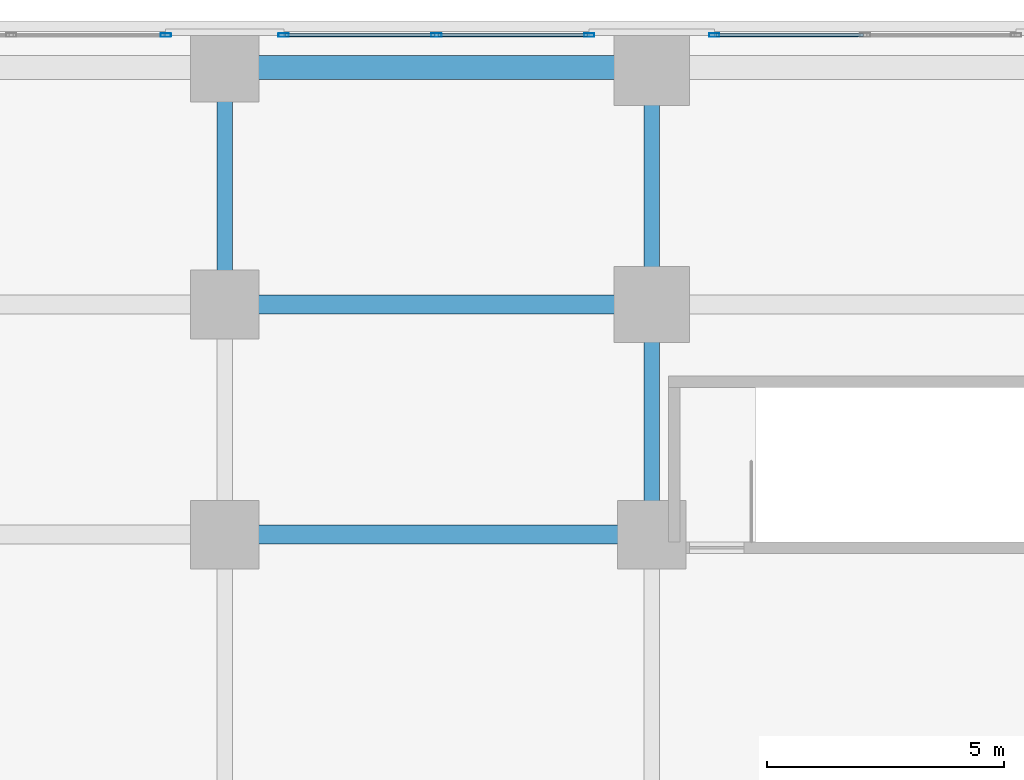
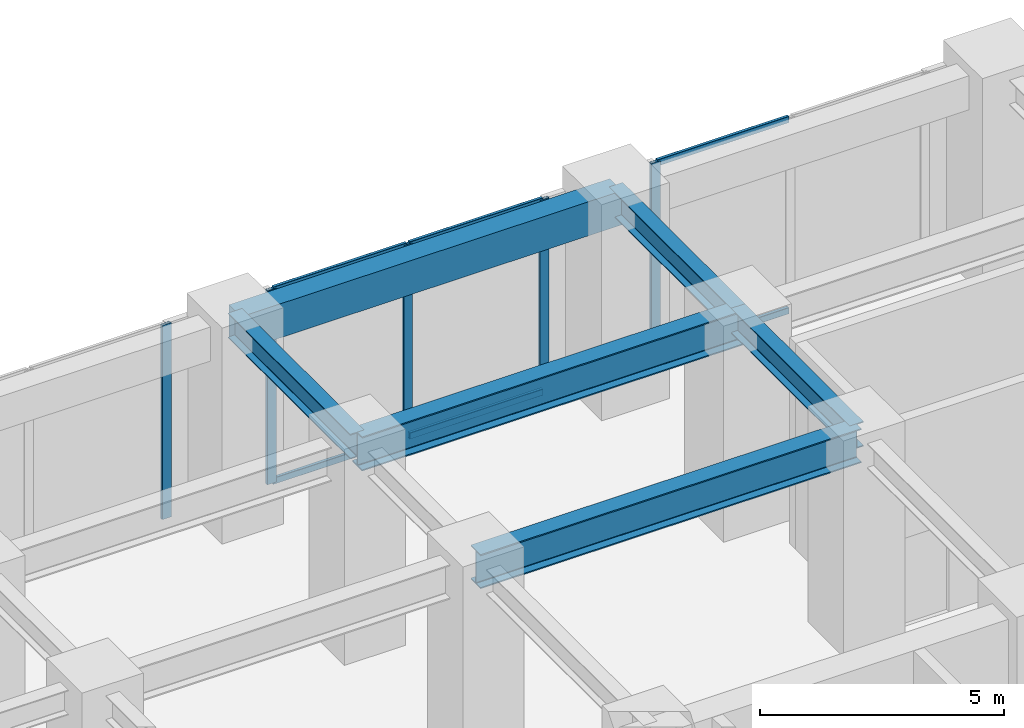
# One storey, part 18 of 33: 11 members, 6 beams, 3 elements without a shape of their own.
"""IFC4 building model written with IfcOpenShell, lengths in metres."""

from ifc_helpers import new_model, si_unit, direction, frame, origin, origin_2d, place, context, subcontext, project, spatial, rectangle, hollow_rectangle, i_section, extrude, source, transform, mapped, material, material_profile, profile_set, type_object, element, aggregate, save


model = new_model("IFC4")

# Units and contexts
model_context = context("Model", 3, precision=1e-05, world=origin(), true_north=direction((0.0, 1.0)))
body_context = subcontext(model_context, "Body", "Model", "MODEL_VIEW")
ifc_project = project(units=[si_unit("LENGTHUNIT", "METRE"), si_unit("AREAUNIT", "SQUARE_METRE"), si_unit("VOLUMEUNIT", "CUBIC_METRE"), si_unit("PLANEANGLEUNIT", "RADIAN"), si_unit("MASSUNIT", "GRAM", prefix="KILO")], contexts=[model_context])

# Site, building, storey
site_placement = place(None, origin())
site = spatial("IfcSite", under=ifc_project, at=site_placement, CompositionType="ELEMENT")
building_placement = place(site_placement, origin())
building = spatial("IfcBuilding", under=site, at=building_placement, Name="Torre Montelarca", CompositionType="ELEMENT")
storey_placement = place(building_placement, frame((0.0, 0.0, 12.0)))
storey = spatial("IfcBuildingStorey", under=building, at=storey_placement, Name="L03", CompositionType="ELEMENT", Elevation=12.0)

# Beams
ifc_material_1 = material(Name="Concrete C55/67", Category="concrete")
ifc_material_profile_1 = material_profile(ifc_material_1, rectangle(XDim=0.5, YDim=0.85009765625, at=origin_2d()), Name="RCB500X850", Category="concrete")
ifc_profile_set_1 = profile_set([ifc_material_profile_1], Name="Concrete C55/67")
beam_type_1 = type_object("IfcBeamType", Name="BM-SP-RC850-EXT", PredefinedType="SPANDREL", material=ifc_profile_set_1)
shared_shape_1 = source(origin(), body_context, "Body", "SweptSolid", [
    extrude(rectangle(XDim=0.5, YDim=0.85009765625, at=origin_2d()), origin(), (0.0, 0.0, 1.0), 9.0),
])
beam_1_placement = place(storey_placement, frame((18.0, 57.0, 4.715087890625), z_axis=(1.0, 0.0, 0.0), x_axis=(0.0, 1.0, 0.0)))
element("IfcBeam", 1, at=beam_1_placement, inside=storey, type_object=beam_type_1, Name="L03 Grid Girder X 18.0-27.0 at Y=57.0", PredefinedType="SPANDREL", context=body_context, shape_type="MappedRepresentation", body=[
    mapped(shared_shape_1, transform((0.0, 0.0, 0.0), scale=1.0)),
])
ifc_material_2 = material(Name="Steel ASTM A992 Grade 50", Category="steel")
ifc_material_profile_2 = material_profile(ifc_material_2, i_section(OverallWidth=0.39990234375, OverallDepth=0.85498046875, WebThickness=0.018310546875, FlangeThickness=0.029296875, FilletRadius=0.02001953125, at=origin_2d()), Name="W840X299", Category="steel")
ifc_profile_set_2 = profile_set([ifc_material_profile_2], Name="Steel ASTM A992 Grade 50")
beam_type_2 = type_object("IfcBeamType", Name="BM-G-W840", PredefinedType="BEAM", material=ifc_profile_set_2)
shared_shape_2 = source(origin(), body_context, "Body", "SweptSolid", [
    extrude(i_section(OverallWidth=0.39990234375, OverallDepth=0.85498046875, WebThickness=0.018310546875, FlangeThickness=0.029296875, FilletRadius=0.02001953125, at=origin_2d()), origin(), (0.0, 0.0, 1.0), 9.0),
])
for number, where, z_axis, x_axis, name in (
    (2, (18.0, 47.14990234375, 4.7119140625), (1.0, 0.0, 0.0), (0.0, 1.0, 0.0), "L03 Grid Girder X 18.0-27.0 at Y=47.1"),
    (3, (18.0, 52.0, 4.7119140625), (1.0, 0.0, 0.0), (0.0, 1.0, 0.0), "L03 Grid Girder X 18.0-27.0 at Y=52.0"),
):
    element("IfcBeam", number, at=place(storey_placement, frame(where, z_axis=z_axis, x_axis=x_axis)), inside=storey, type_object=beam_type_2, Name=name, PredefinedType="BEAM", context=body_context, shape_type="MappedRepresentation", body=[
        mapped(shared_shape_2, transform((0.0, 0.0, 0.0), scale=1.0)),
    ])
ifc_material_profile_3 = material_profile(ifc_material_2, i_section(OverallWidth=0.326904296875, OverallDepth=0.6220703125, WebThickness=0.015380859375, FlangeThickness=0.0244140625, FilletRadius=0.014892578125, at=origin_2d()), Name="W610X195", Category="steel")
ifc_profile_set_3 = profile_set([ifc_material_profile_3], Name="Steel ASTM A992 Grade 50")
beam_type_3 = type_object("IfcBeamType", Name="BM-G-W610H", PredefinedType="BEAM", material=ifc_profile_set_3)
shared_shape_3 = source(origin(), body_context, "Body", "SweptSolid", [
    extrude(i_section(OverallWidth=0.326904296875, OverallDepth=0.6220703125, WebThickness=0.015380859375, FlangeThickness=0.0244140625, FilletRadius=0.014892578125, at=origin_2d()), origin(), (0.0, 0.0, 1.0), 4.85009765625),
])
beam_2_placement = place(storey_placement, frame((27.0, 47.14990234375, 4.8291015625), z_axis=(0.0, 1.0, 0.0), x_axis=(-1.0, 0.0, 0.0)))
element("IfcBeam", 4, at=beam_2_placement, inside=storey, type_object=beam_type_3, Name="L03 Grid Girder Y 47.1-52.0 at X=27.0", PredefinedType="BEAM", context=body_context, shape_type="MappedRepresentation", body=[
    mapped(shared_shape_3, transform((0.0, 0.0, 0.0), scale=1.0)),
])
shared_shape_4 = source(origin(), body_context, "Body", "SweptSolid", [
    extrude(i_section(OverallWidth=0.326904296875, OverallDepth=0.6220703125, WebThickness=0.015380859375, FlangeThickness=0.0244140625, FilletRadius=0.014892578125, at=origin_2d()), origin(), (0.0, 0.0, 1.0), 5.0),
])
for number, where, z_axis, x_axis, name in (
    (5, (18.0, 52.0, 4.8291015625), (0.0, 1.0, 0.0), (-1.0, 0.0, 0.0), "L03 Grid Girder Y 52.0-57.0 at X=18.0"),
    (6, (27.0, 52.0, 4.8291015625), (0.0, 1.0, 0.0), (-1.0, 0.0, 0.0), "L03 Grid Girder Y 52.0-57.0 at X=27.0"),
):
    element("IfcBeam", number, at=place(storey_placement, frame(where, z_axis=z_axis, x_axis=x_axis)), inside=storey, type_object=beam_type_3, Name=name, PredefinedType="BEAM", context=body_context, shape_type="MappedRepresentation", body=[
        mapped(shared_shape_4, transform((0.0, 0.0, 0.0), scale=1.0)),
    ])

# Curtain wall, members
ifc_material_3 = material(Name="Insulated low-E laminated glass", Category="glass")
curtain_wall_type = type_object("IfcCurtainWallType", Name="CW-SYS-POD2", PredefinedType="USERDEFINED", material=ifc_material_3)
curtain_wall_1_placement = place(storey_placement, origin())
curtain_wall_1 = element("IfcCurtainWall", 7, at=curtain_wall_1_placement, inside=storey, type_object=curtain_wall_type, Name="L03 Curtain Wall Run CW-T3-L03-E08-B2", ObjectType="UNITISED GLAZING", PredefinedType="USERDEFINED")
ifc_material_4 = material(Name="Anodised aluminium AA 6063-T6", Category="aluminium")
ifc_material_profile_4 = material_profile(ifc_material_4, hollow_rectangle(XDim=0.074951171875, YDim=0.159912109375, WallThickness=0.0048828125, InnerFilletRadius=0.0048828125, OuterFilletRadius=0.010009765625, at=origin_2d()), Name="ALU75X160X5", Category="aluminium")
ifc_profile_set_4 = profile_set([ifc_material_profile_4], Name="Anodised aluminium AA 6063-T6")
member_type_1 = type_object("IfcMemberType", Name="CWT-ALU160", PredefinedType="USERDEFINED", material=ifc_profile_set_4)
shared_shape_5 = source(origin(), body_context, "Body", "SweptSolid", [
    extrude(hollow_rectangle(XDim=0.074951171875, YDim=0.159912109375, WallThickness=0.0048828125, InnerFilletRadius=0.0048828125, OuterFilletRadius=0.010009765625, at=origin_2d()), origin(), (0.0, 0.0, 1.0), 3.14501953125),
])
member_1_placement = place(storey_placement, frame((25.64501953125, 57.679931640625, 0.03759765625), z_axis=(-1.0, 0.0, 0.0), x_axis=(0.0, -1.0, 0.0)))
member_1 = element("IfcMember", 8, at=member_1_placement, type_object=member_type_1, Name="CW transom 1.1", ObjectType="TRANSOM", PredefinedType="USERDEFINED", context=body_context, shape_type="MappedRepresentation", body=[
    mapped(shared_shape_5, transform((0.0, 0.0, 0.0), scale=1.0)),
])
member_2_placement = place(storey_placement, frame((25.64501953125, 57.679931640625, 4.8125), z_axis=(-1.0, 0.0, 0.0), x_axis=(0.0, -1.0, 0.0)))
member_2 = element("IfcMember", 9, at=member_2_placement, type_object=member_type_1, Name="CW transom 1.2", ObjectType="TRANSOM", PredefinedType="USERDEFINED", context=body_context, shape_type="MappedRepresentation", body=[
    mapped(shared_shape_5, transform((0.0, 0.0, 0.0), scale=1.0)),
])
member_3_placement = place(storey_placement, frame((22.425048828125, 57.679931640625, 0.03759765625), z_axis=(-1.0, 0.0, 0.0), x_axis=(0.0, -1.0, 0.0)))
member_3 = element("IfcMember", 10, at=member_3_placement, type_object=member_type_1, Name="CW transom 2.1", ObjectType="TRANSOM", PredefinedType="USERDEFINED", context=body_context, shape_type="MappedRepresentation", body=[
    mapped(shared_shape_5, transform((0.0, 0.0, 0.0), scale=1.0)),
])
member_4_placement = place(storey_placement, frame((22.425048828125, 57.679931640625, 4.8125), z_axis=(-1.0, 0.0, 0.0), x_axis=(0.0, -1.0, 0.0)))
member_4 = element("IfcMember", 11, at=member_4_placement, type_object=member_type_1, Name="CW transom 2.2", ObjectType="TRANSOM", PredefinedType="USERDEFINED", context=body_context, shape_type="MappedRepresentation", body=[
    mapped(shared_shape_5, transform((0.0, 0.0, 0.0), scale=1.0)),
])

curtain_wall_2_placement = place(storey_placement, origin())
curtain_wall_2 = element("IfcCurtainWall", 12, at=curtain_wall_2_placement, inside=storey, type_object=curtain_wall_type, Name="L03 Curtain Wall Run CW-T3-L03-E08-B1", ObjectType="UNITISED GLAZING", PredefinedType="USERDEFINED")
shared_shape_6 = source(origin(), body_context, "Body", "SweptSolid", [
    extrude(hollow_rectangle(XDim=0.074951171875, YDim=0.159912109375, WallThickness=0.0048828125, InnerFilletRadius=0.0048828125, OuterFilletRadius=0.010009765625, at=origin_2d()), origin(), (0.0, 0.0, 1.0), 3.107421875),
])
member_5_placement = place(storey_placement, frame((31.46240234375, 57.679931640625, 0.03759765625), z_axis=(-1.0, 0.0, 0.0), x_axis=(0.0, -1.0, 0.0)))
member_5 = element("IfcMember", 13, at=member_5_placement, type_object=member_type_1, Name="CW transom 2.1", ObjectType="TRANSOM", PredefinedType="USERDEFINED", context=body_context, shape_type="MappedRepresentation", body=[
    mapped(shared_shape_6, transform((0.0, 0.0, 0.0), scale=1.0)),
])
member_6_placement = place(storey_placement, frame((31.46240234375, 57.679931640625, 4.8125), z_axis=(-1.0, 0.0, 0.0), x_axis=(0.0, -1.0, 0.0)))
member_6 = element("IfcMember", 14, at=member_6_placement, type_object=member_type_1, Name="CW transom 2.2", ObjectType="TRANSOM", PredefinedType="USERDEFINED", context=body_context, shape_type="MappedRepresentation", body=[
    mapped(shared_shape_6, transform((0.0, 0.0, 0.0), scale=1.0)),
])
ifc_material_profile_5 = material_profile(ifc_material_4, hollow_rectangle(XDim=0.074951171875, YDim=0.219970703125, WallThickness=0.0048828125, InnerFilletRadius=0.0048828125, OuterFilletRadius=0.010009765625, at=origin_2d()), Name="ALU75X220X5", Category="aluminium")
ifc_profile_set_5 = profile_set([ifc_material_profile_5], Name="Anodised aluminium AA 6063-T6")
member_type_2 = type_object("IfcMemberType", Name="CWM-ALU220", PredefinedType="MULLION", material=ifc_profile_set_5)
shared_shape_7 = source(origin(), body_context, "Body", "SweptSolid", [
    extrude(hollow_rectangle(XDim=0.074951171875, YDim=0.219970703125, WallThickness=0.0048828125, InnerFilletRadius=0.0048828125, OuterFilletRadius=0.010009765625, at=origin_2d()), origin(), (0.0, 0.0, 1.0), 4.85009765625),
])
member_7_placement = place(storey_placement, frame((28.3173828125, 57.679931640625, 0.0), z_axis=(0.0, 0.0, 1.0), x_axis=(0.0, -1.0, 0.0)))
member_7 = element("IfcMember", 15, at=member_7_placement, type_object=member_type_2, Name="CW mullion 3", PredefinedType="MULLION", context=body_context, shape_type="MappedRepresentation", body=[
    mapped(shared_shape_7, transform((0.0, 0.0, 0.0), scale=1.0)),
])
aggregate(curtain_wall_2, [member_7, member_5, member_6])

# Member
member_8_placement = place(storey_placement, frame((25.6826171875, 57.679931640625, 0.0), z_axis=(0.0, 0.0, 1.0), x_axis=(0.0, -1.0, 0.0)))
member_8 = element("IfcMember", 16, at=member_8_placement, type_object=member_type_2, Name="CW mullion 1", PredefinedType="MULLION", context=body_context, shape_type="MappedRepresentation", body=[
    mapped(shared_shape_7, transform((0.0, 0.0, 0.0), scale=1.0)),
])

member_9_placement = place(storey_placement, frame((22.46240234375, 57.679931640625, 0.0), z_axis=(0.0, 0.0, 1.0), x_axis=(0.0, -1.0, 0.0)))
member_9 = element("IfcMember", 17, at=member_9_placement, type_object=member_type_2, Name="CW mullion 2", PredefinedType="MULLION", context=body_context, shape_type="MappedRepresentation", body=[
    mapped(shared_shape_7, transform((0.0, 0.0, 0.0), scale=1.0)),
])

member_10_placement = place(storey_placement, frame((19.242431640625, 57.679931640625, 0.0), z_axis=(0.0, 0.0, 1.0), x_axis=(0.0, -1.0, 0.0)))
member_10 = element("IfcMember", 18, at=member_10_placement, type_object=member_type_2, Name="CW mullion 3", PredefinedType="MULLION", context=body_context, shape_type="MappedRepresentation", body=[
    mapped(shared_shape_7, transform((0.0, 0.0, 0.0), scale=1.0)),
])

aggregate(curtain_wall_1, [member_8, member_9, member_10, member_1, member_2, member_3, member_4])

# Curtain wall, member
curtain_wall_3_placement = place(storey_placement, origin())
curtain_wall_3 = element("IfcCurtainWall", 19, at=curtain_wall_3_placement, inside=storey, type_object=curtain_wall_type, Name="L03 Curtain Wall Run CW-T3-L03-E08-B3", ObjectType="UNITISED GLAZING", PredefinedType="USERDEFINED")
member_11_placement = place(storey_placement, frame((16.757568359375, 57.679931640625, 0.0), z_axis=(0.0, 0.0, 1.0), x_axis=(0.0, -1.0, 0.0)))
member_11 = element("IfcMember", 20, at=member_11_placement, type_object=member_type_2, Name="CW mullion 1", PredefinedType="MULLION", context=body_context, shape_type="MappedRepresentation", body=[
    mapped(shared_shape_7, transform((0.0, 0.0, 0.0), scale=1.0)),
])
aggregate(curtain_wall_3, [member_11])

save(model, "model.ifc")
